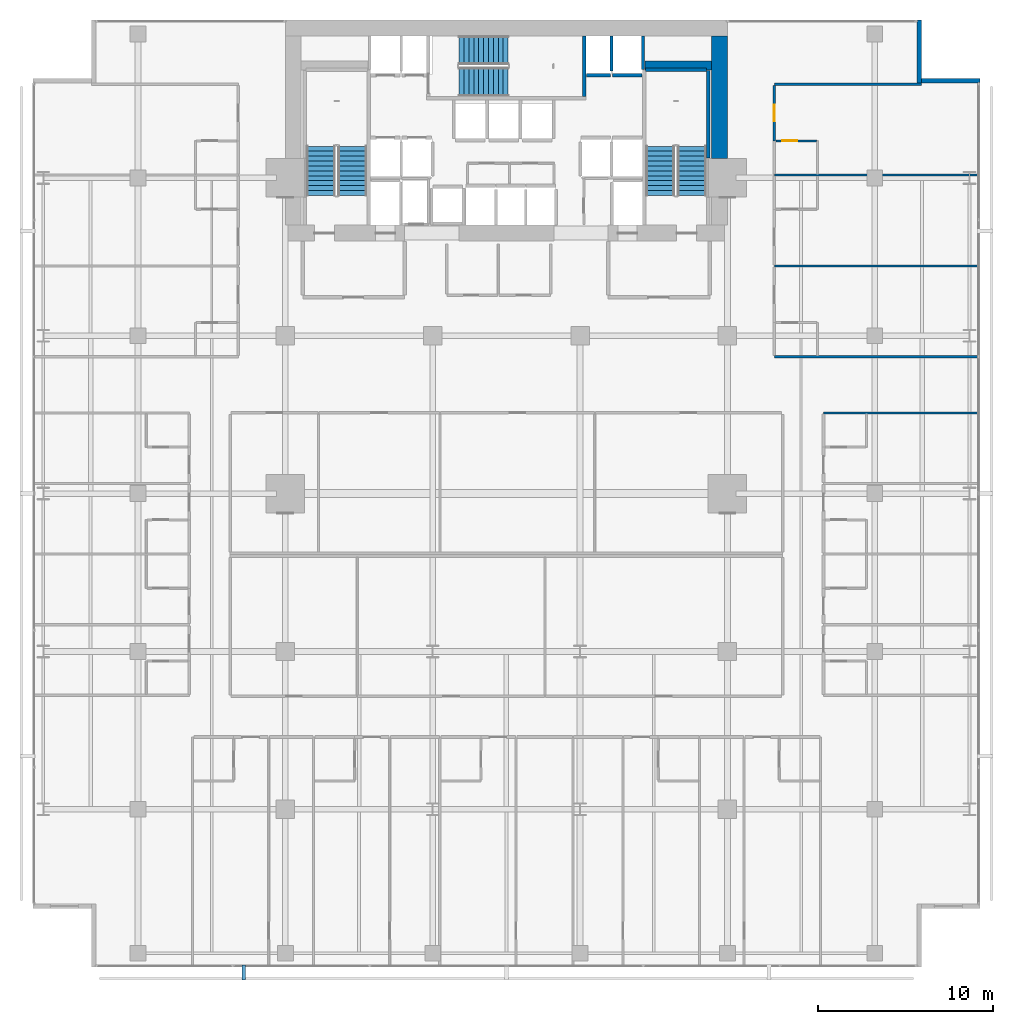
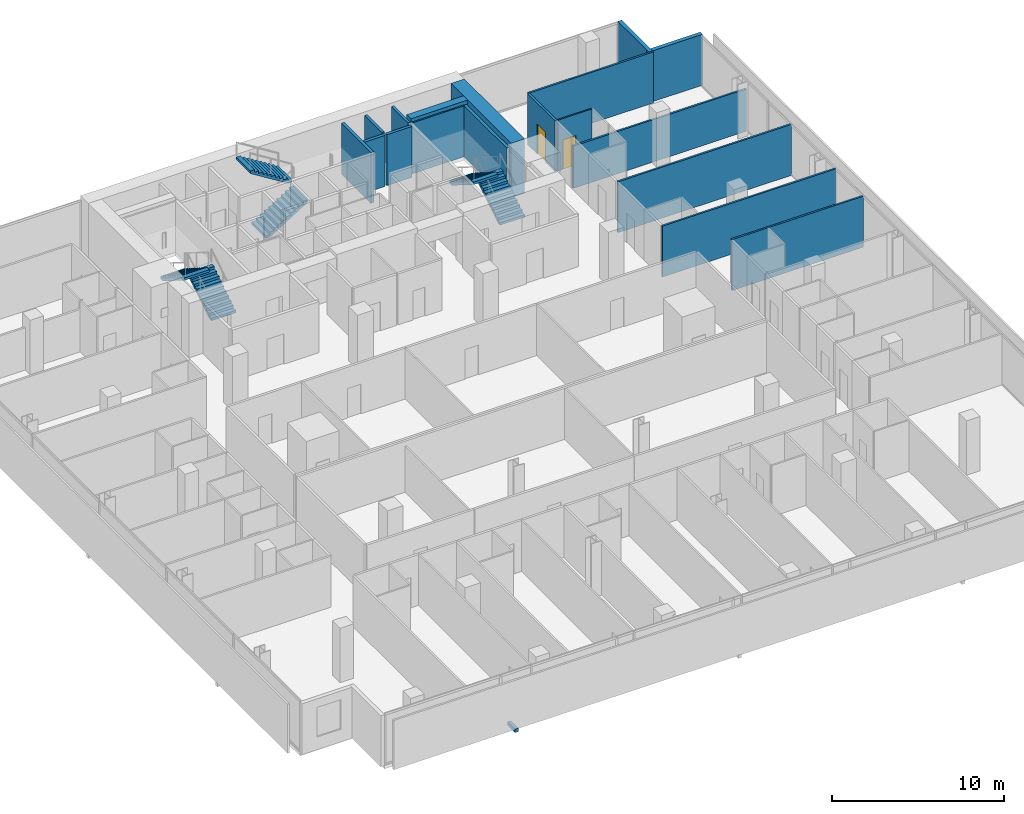
# One storey, part 38 of 41: 18 walls, 6 stair flights, 2 doors, 1 discrete accessory, 2 openings, 3 elements without a shape of their own.
"""IFC4 building model written with IfcOpenShell, lengths in metres."""

from ifc_helpers import new_model, si_unit, direction, frame, frame_2d, origin, origin_2d, place, context, subcontext, project, spatial, polyline, rectangle, outline, extrude, material, layer, layer_set, type_object, element, fill, aggregate, save


model = new_model("IFC4")

# Units and contexts
model_context = context("Model", 3, precision=1e-05, world=origin(), true_north=direction((0.0, 1.0)))
body_context = subcontext(model_context, "Body", "Model", "MODEL_VIEW")
ifc_project = project(units=[si_unit("LENGTHUNIT", "METRE"), si_unit("AREAUNIT", "SQUARE_METRE"), si_unit("VOLUMEUNIT", "CUBIC_METRE"), si_unit("PLANEANGLEUNIT", "RADIAN"), si_unit("MASSUNIT", "GRAM", prefix="KILO")], contexts=[model_context])

# Site, building, storey
site_placement = place(None, origin())
site = spatial("IfcSite", under=ifc_project, at=site_placement, CompositionType="ELEMENT")
building_placement = place(site_placement, origin())
building = spatial("IfcBuilding", under=site, at=building_placement, Name="Maruvema Waterfront Hotel and Observation Tower", CompositionType="ELEMENT")
storey_placement = place(building_placement, frame((0.0, 0.0, 84.699951171875)))
storey = spatial("IfcBuildingStorey", under=building, at=storey_placement, Name="L20", CompositionType="ELEMENT", Elevation=84.699951171875)

# Wall, opening, door
ifc_material_1 = material(Name="Twin-stud acoustic gypsum drywall", Category="gypsum")
ifc_layer_1 = layer(ifc_material_1, 0.14990234375, Name="Acoustic Corridor and Suite Demising Wall 150 mm")
ifc_layer_set_1 = layer_set([ifc_layer_1], Name="Twin-stud acoustic gypsum drywall")
wall_type_1 = type_object("IfcWallType", Name="Acoustic Corridor and Suite Demising Wall 150 mm", PredefinedType="PARTITIONING", material=ifc_layer_set_1)
wall_1_placement = place(storey_placement, frame((53.080078125, 47.1083984375, 0.0), z_axis=(0.0, 0.0, 1.0), x_axis=(0.0, 1.0, 0.0)))
wall_1 = element("IfcWall", 1, at=wall_1_placement, inside=storey, type_object=wall_type_1, Name="L20 Room L20-NE3 Corridor Wall 147", PredefinedType="PARTITIONING", context=body_context, shape_type="SweptSolid", body=[
    extrude(rectangle(XDim=3.169189453125, YDim=0.14990234375, at=frame_2d((1.58447265625, 0.0))), origin(), (0.0, 0.0, 1.0), 3.610107421875),
])
opening_1_placement = place(wall_1_placement, frame((1.109619140625, 0.0, 0.0)))
opening_1 = element("IfcOpeningElement", 2, at=opening_1_placement, cuts=wall_1, Name="Opening DR-095", PredefinedType="OPENING", context=body_context, shape_type="SweptSolid", body=[
    extrude(rectangle(XDim=0.949951171875, YDim=2.14990234375, at=frame_2d((0.47509765625, 1.074951171875))), frame((0.0, 0.0849609375, 0.0), z_axis=(0.0, -1.0, 0.0), x_axis=(1.0, 0.0, 0.0)), (0.0, 0.0, 1.0), 0.169921875),
])
ifc_material_2 = material(Name="Acoustic solid-core hardwood timber leaf", Category="wood")
door_type_1 = type_object("IfcDoorType", Name="Guestroom Entrance Fire Door 950x2150 mm", OperationType="NOTDEFINED", PredefinedType="DOOR", material=ifc_material_2)
door_1_placement = place(opening_1_placement, frame((0.949951171875, 0.0, 0.0), z_axis=(0.0, 0.0, 1.0), x_axis=(-1.0, 0.0, 0.0)))
door_1 = element("IfcDoor", 3, at=door_1_placement, inside=storey, type_object=door_type_1, Name="L20 Room L20-NE3 Entrance Door", OperationType="SINGLE_SWING_LEFT", OverallHeight=2.14990234375, OverallWidth=0.949951171875, PredefinedType="DOOR", context=body_context, shape_type="SweptSolid", body=[
    extrude(rectangle(XDim=0.949951171875, YDim=2.14990234375, at=frame_2d((0.47509765625, 1.074951171875))), frame((0.0, 0.02490234375, 0.0), z_axis=(0.0, -1.0, 0.0), x_axis=(1.0, 0.0, 0.0)), (0.0, 0.0, 1.0), 0.050048828125),
])
fill(opening_1, door_1)

# Walls
ifc_material_3 = material(Name="Precast concrete C45/55", Category="concrete")
ifc_layer_2 = layer(ifc_material_3, 0.199951171875, Name="Core Shaft and Stairwell Enclosure Wall 200 mm")
ifc_layer_set_2 = layer_set([ifc_layer_2], Name="Precast concrete C45/55")
wall_type_2 = type_object("IfcWallType", Name="Core Shaft and Stairwell Enclosure Wall 200 mm", PredefinedType="SOLIDWALL", material=ifc_layer_set_2)
wall_2_placement = place(storey_placement, frame((42.25, 49.64990234375, 0.0), z_axis=(0.0, 0.0, 1.0), x_axis=(0.0, 1.0, 0.0)))
element("IfcWall", 4, at=wall_2_placement, inside=storey, type_object=wall_type_2, Name="L20 Stairwell ST-02 Shaft Wall", PredefinedType="SOLIDWALL", context=body_context, shape_type="SweptSolid", body=[
    extrude(rectangle(XDim=3.4501953125, YDim=0.199951171875, at=frame_2d((1.72509765625, 0.0))), origin(), (0.0, 0.0, 1.0), 3.610107421875),
])
wall_3_placement = place(storey_placement, frame((49.300048828125, 46.1201171875, 0.0), z_axis=(0.0, 0.0, 1.0), x_axis=(0.0, 1.0, 0.0)))
element("IfcWall", 5, at=wall_3_placement, inside=storey, type_object=wall_type_2, Name="L20 Stairwell ST-03 Shaft Lining Wall", PredefinedType="SOLIDWALL", context=body_context, shape_type="SweptSolid", body=[
    extrude(rectangle(XDim=5.0, YDim=0.199951171875, at=frame_2d((2.5, 0.0))), origin(), (0.0, 0.0, 1.0), 3.610107421875),
])
wall_4_placement = place(storey_placement, frame((45.719970703125, 51.14990234375, 0.0), z_axis=(0.0, 0.0, 1.0), x_axis=(1.0, 0.0, 0.0)))
element("IfcWall", 6, at=wall_4_placement, inside=storey, type_object=wall_type_2, Name="L20 Stairwell ST-03 Shaft Lining Wall", PredefinedType="SOLIDWALL", context=body_context, shape_type="SweptSolid", body=[
    extrude(rectangle(XDim=3.5, YDim=0.199951171875, at=frame_2d((1.75, 0.0))), origin(), (0.0, 0.0, 1.0), 3.610107421875),
])
wall_5_placement = place(storey_placement, frame((42.360107421875, 50.85009765625, 0.0), z_axis=(0.0, 0.0, 1.0), x_axis=(1.0, 0.0, 0.0)))
element("IfcWall", 7, at=wall_5_placement, inside=storey, type_object=wall_type_2, Name="L20 Lift LF-07 Hoistway Front Wall", PredefinedType="SOLIDWALL", context=body_context, shape_type="SweptSolid", body=[
    extrude(rectangle(XDim=1.3798828125, YDim=0.199951171875, at=frame_2d((0.68994140625, 0.0))), origin(), (0.0, 0.0, 1.0), 3.610107421875),
])
wall_6_placement = place(storey_placement, frame((43.860107421875, 50.85009765625, 0.0), z_axis=(0.0, 0.0, 1.0), x_axis=(1.0, 0.0, 0.0)))
element("IfcWall", 8, at=wall_6_placement, inside=storey, type_object=wall_type_2, Name="L20 Lift LF-08 Hoistway Front Wall", PredefinedType="SOLIDWALL", context=body_context, shape_type="SweptSolid", body=[
    extrude(rectangle(XDim=1.679931640625, YDim=0.199951171875, at=frame_2d((0.83984375, 0.0))), origin(), (0.0, 0.0, 1.0), 3.610107421875),
])
ifc_material_4 = material(Name="Concrete C70/85", Category="concrete")
ifc_layer_3 = layer(ifc_material_4, 0.5, Name="Core Shear Wall 500 mm")
ifc_layer_set_3 = layer_set([ifc_layer_3], Name="Concrete C70/85")
wall_type_3 = type_object("IfcWallType", Name="Core Shear Wall 500 mm", PredefinedType="SHEAR", material=ifc_layer_set_3)
wall_7_placement = place(storey_placement, frame((45.699951171875, 51.39990234375, 0.0), z_axis=(0.0, 0.0, 1.0), x_axis=(1.0, 0.0, 0.0)))
element("IfcWall", 9, at=wall_7_placement, inside=storey, type_object=wall_type_3, Name="L20 Internal Core Shear Wall NE 500 mm", PredefinedType="SHEAR", context=body_context, shape_type="SweptSolid", body=[
    extrude(rectangle(XDim=3.800048828125, YDim=0.5, at=frame_2d((1.89990234375, 0.0))), origin(), (0.0, 0.0, 1.0), 3.85009765625),
])
ifc_material_5 = material(Name="Concrete C80/95", Category="concrete")
ifc_layer_4 = layer(ifc_material_5, 0.89990234375, Name="Core Shear Wall 900 mm")
ifc_layer_set_4 = layer_set([ifc_layer_4], Name="Concrete C80/95")
wall_type_4 = type_object("IfcWallType", Name="Core Shear Wall 900 mm", PredefinedType="SHEAR", material=ifc_layer_set_4)
wall_8_placement = place(storey_placement, frame((49.949951171875, 46.10009765625, 0.0), z_axis=(0.0, 0.0, 1.0), x_axis=(0.0, 1.0, 0.0)))
element("IfcWall", 10, at=wall_8_placement, inside=storey, type_object=wall_type_4, Name="L20 East-North Core Shear Wall", PredefinedType="SHEAR", context=body_context, shape_type="SweptSolid", body=[
    extrude(rectangle(XDim=7.0, YDim=0.89990234375, at=frame_2d((3.5, 0.0))), origin(), (0.0, 0.0, 1.0), 3.85009765625),
])

# Wall, opening, door
ifc_material_6 = material(Name="Moisture-resistant cement-board drywall", Category="gypsum")
ifc_layer_5 = layer(ifc_material_6, 0.10009765625, Name="En-Suite Moisture-Resistant Partition 100 mm")
ifc_layer_set_5 = layer_set([ifc_layer_5], Name="Moisture-resistant cement-board drywall")
wall_type_5 = type_object("IfcWallType", Name="En-Suite Moisture-Resistant Partition 100 mm", PredefinedType="PARTITIONING", material=ifc_layer_set_5)
wall_9_placement = place(storey_placement, frame((53.179931640625, 47.1083984375, 0.0), z_axis=(0.0, 0.0, 1.0), x_axis=(1.0, 0.0, 0.0)))
wall_9 = element("IfcWall", 11, at=wall_9_placement, inside=storey, type_object=wall_type_5, Name="L20 En-Suite L20-NE3 N 149", PredefinedType="PARTITIONING", context=body_context, shape_type="SweptSolid", body=[
    extrude(rectangle(XDim=2.300048828125, YDim=0.10009765625, at=frame_2d((1.14990234375, 0.0))), origin(), (0.0, 0.0, 1.0), 3.610107421875),
])
opening_2_placement = place(wall_9_placement, frame((0.35009765625, 0.0, 0.0)))
opening_2 = element("IfcOpeningElement", 12, at=opening_2_placement, cuts=wall_9, Name="Opening DR-085", PredefinedType="OPENING", context=body_context, shape_type="SweptSolid", body=[
    extrude(rectangle(XDim=0.85009765625, YDim=2.10009765625, at=frame_2d((0.425048828125, 1.050048828125))), frame((0.0, 0.06005859375, 0.0), z_axis=(0.0, -1.0, 0.0), x_axis=(1.0, 0.0, 0.0)), (0.0, 0.0, 1.0), 0.1201171875),
])
ifc_material_7 = material(Name="Moisture-resistant solid timber leaf", Category="wood")
door_type_2 = type_object("IfcDoorType", Name="En-Suite Bathroom Door 850x2100 mm", OperationType="NOTDEFINED", PredefinedType="DOOR", material=ifc_material_7)
door_2_placement = place(opening_2_placement, origin())
door_2 = element("IfcDoor", 13, at=door_2_placement, inside=storey, type_object=door_type_2, Name="L20 En-Suite L20-NE3 Door", OperationType="SINGLE_SWING_RIGHT", OverallHeight=2.10009765625, OverallWidth=0.85009765625, PredefinedType="DOOR", context=body_context, shape_type="SweptSolid", body=[
    extrude(rectangle(XDim=0.85009765625, YDim=2.10009765625, at=frame_2d((0.425048828125, 1.050048828125))), frame((0.0, 0.02490234375, 0.0), z_axis=(0.0, -1.0, 0.0), x_axis=(1.0, 0.0, 0.0)), (0.0, 0.0, 1.0), 0.050048828125),
])
fill(opening_2, door_2)

# Walls
ifc_material_8 = material(Name="Precast concrete C45/55 with honed Pernambuco granite facing", Category="masonry")
ifc_layer_6 = layer(ifc_material_8, 0.260009765625, Name="Exterior Granite Clad Spandrel and Pier Wall 260 mm")
ifc_layer_set_6 = layer_set([ifc_layer_6], Name="Precast concrete C45/55 with honed Pernambuco granite facing")
wall_type_6 = type_object("IfcWallType", Name="Exterior Granite Clad Spandrel and Pier Wall 260 mm", PredefinedType="SOLIDWALL", material=ifc_layer_set_6)
for number, where, z_axis, x_axis, name in (
    (14, (61.330078125, 54.0, 0.0), (0.0, 0.0, 1.0), (0.0, -1.0, 0.0), "L20 Corner Notch Granite Pier Wall NE1"),
    (15, (61.199951171875, 50.530029296875, 0.0), (0.0, 0.0, 1.0), (1.0, 0.0, 0.0), "L20 Corner Notch Granite Pier Wall NE2"),
):
    element("IfcWall", number, at=place(storey_placement, frame(where, z_axis=z_axis, x_axis=x_axis)), inside=storey, type_object=wall_type_6, Name=name, PredefinedType="SOLIDWALL", context=body_context, shape_type="SweptSolid", body=[
        extrude(rectangle(XDim=3.60009765625, YDim=0.260009765625, at=frame_2d((1.800048828125, 0.0))), origin(), (0.0, 0.0, 1.0), 3.610107421875),
    ])
ifc_material_9 = material(Name="Acoustic gypsum plasterboard drywall", Category="gypsum")
ifc_layer_7 = layer(ifc_material_9, 0.125, Name="Guestroom Acoustic Demising Wall 125 mm")
ifc_layer_set_7 = layer_set([ifc_layer_7], Name="Acoustic gypsum plasterboard drywall")
wall_type_7 = type_object("IfcWallType", Name="Guestroom Acoustic Demising Wall 125 mm", PredefinedType="PARTITIONING", material=ifc_layer_set_7)
wall_10_placement = place(storey_placement, frame((55.8798828125, 31.60009765625, 0.0), z_axis=(0.0, 0.0, 1.0), x_axis=(1.0, 0.0, 0.0)))
element("IfcWall", 16, at=wall_10_placement, inside=storey, type_object=wall_type_7, Name="L20 E Top End 079", PredefinedType="PARTITIONING", context=body_context, shape_type="SweptSolid", body=[
    extrude(rectangle(XDim=8.820068359375, YDim=0.125, at=frame_2d((4.41015625, 0.0))), origin(), (0.0, 0.0, 1.0), 3.610107421875),
])
wall_11_placement = place(storey_placement, frame((53.080078125, 34.800048828125, 0.0), z_axis=(0.0, 0.0, 1.0), x_axis=(1.0, 0.0, 0.0)))
element("IfcWall", 17, at=wall_11_placement, inside=storey, type_object=wall_type_7, Name="L20 NE Bot End 119", PredefinedType="PARTITIONING", context=body_context, shape_type="SweptSolid", body=[
    extrude(rectangle(XDim=11.619873046875, YDim=0.125, at=frame_2d((5.81005859375, 0.0))), origin(), (0.0, 0.0, 1.0), 3.610107421875),
])
wall_12_placement = place(storey_placement, frame((53.080078125, 50.33740234375, 0.0), z_axis=(0.0, 0.0, 1.0), x_axis=(1.0, 0.0, 0.0)))
element("IfcWall", 18, at=wall_12_placement, inside=storey, type_object=wall_type_7, Name="L20 NE Top End 121", PredefinedType="PARTITIONING", context=body_context, shape_type="SweptSolid", body=[
    extrude(rectangle(XDim=8.3798828125, YDim=0.125, at=frame_2d((4.18994140625, 0.0))), origin(), (0.0, 0.0, 1.0), 3.610107421875),
])
wall_13_placement = place(storey_placement, frame((53.080078125, 39.979248046875, 0.0), z_axis=(0.0, 0.0, 1.0), x_axis=(1.0, 0.0, 0.0)))
element("IfcWall", 19, at=wall_13_placement, inside=storey, type_object=wall_type_7, Name="L20 NE Demising 2 131", PredefinedType="PARTITIONING", context=body_context, shape_type="SweptSolid", body=[
    extrude(rectangle(XDim=11.619873046875, YDim=0.125, at=frame_2d((5.81005859375, 0.0))), origin(), (0.0, 0.0, 1.0), 3.610107421875),
])
wall_14_placement = place(storey_placement, frame((53.080078125, 45.158203125, 0.0), z_axis=(0.0, 0.0, 1.0), x_axis=(1.0, 0.0, 0.0)))
element("IfcWall", 20, at=wall_14_placement, inside=storey, type_object=wall_type_7, Name="L20 NE Demising 3 141", PredefinedType="PARTITIONING", context=body_context, shape_type="SweptSolid", body=[
    extrude(rectangle(XDim=11.619873046875, YDim=0.125, at=frame_2d((5.81005859375, 0.0))), origin(), (0.0, 0.0, 1.0), 2.9990234375),
])
ifc_material_10 = material(Name="Precast concrete C45/55", Category="concrete")
ifc_layer_8 = layer(ifc_material_10, 0.159912109375, Name="Lift Hoistway Divider Wall 160 mm")
ifc_layer_set_8 = layer_set([ifc_layer_8], Name="Precast concrete C45/55")
wall_type_8 = type_object("IfcWallType", Name="Lift Hoistway Divider Wall 160 mm", PredefinedType="SOLIDWALL", material=ifc_layer_set_8)
wall_15_placement = place(storey_placement, frame((45.590087890625, 51.179931640625, 0.0), z_axis=(0.0, 0.0, 1.0), x_axis=(0.0, 1.0, 0.0)))
element("IfcWall", 21, at=wall_15_placement, inside=storey, type_object=wall_type_8, Name="L20 Hoistway Divider Wall", PredefinedType="SOLIDWALL", context=body_context, shape_type="SweptSolid", body=[
    extrude(rectangle(XDim=1.920166015625, YDim=0.159912109375, at=frame_2d((0.9599609375, 0.0))), origin(), (0.0, 0.0, 1.0), 3.610107421875),
])
wall_16_placement = place(storey_placement, frame((43.800048828125, 51.10009765625, 0.0), z_axis=(0.0, 0.0, 1.0), x_axis=(0.0, 1.0, 0.0)))
element("IfcWall", 22, at=wall_16_placement, inside=storey, type_object=wall_type_8, Name="L20 Hoistway Divider Wall", PredefinedType="SOLIDWALL", context=body_context, shape_type="SweptSolid", body=[
    extrude(rectangle(XDim=2.0, YDim=0.159912109375, at=frame_2d((1.0, 0.0))), origin(), (0.0, 0.0, 1.0), 3.610107421875),
])

# Stair, stair flights
ifc_material_11 = material(Name="Concrete C50/60", Category="concrete")
stair_type = type_object("IfcStairType", Name="Dogleg Exit Stair 1650 mm (22R x 175.0 mm)", PredefinedType="HALF_TURN_STAIR", material=ifc_material_11)
stair_1_placement = place(storey_placement, origin())
stair_1 = element("IfcStair", 23, at=stair_1_placement, inside=storey, type_object=stair_type, Name="L20 ST-01", PredefinedType="HALF_TURN_STAIR")
ifc_material_12 = material(Name="Concrete C50/60", Category="concrete")
stair_flight_type = type_object("IfcStairFlightType", Name="Reinforced Concrete Stair Flight 1650 mm (11R x 175.0 mm)", PredefinedType="STRAIGHT", material=ifc_material_12)
stair_flight_1_placement = place(storey_placement, frame((29.02490234375, 44.0, 0.0), z_axis=(0.0, 0.0, 1.0), x_axis=(0.0, 1.0, 0.0)))
stair_flight_1 = element("IfcStairFlight", 24, at=stair_flight_1_placement, type_object=stair_flight_type, Name="ST-01 flight 1", NumberOfRisers=11, NumberOfTreads=10, PredefinedType="STRAIGHT", RiserHeight=0.175, TreadLength=0.28, context=body_context, shape_type="SweptSolid", body=[
    extrude(outline(polyline([(0.0, 0.0), (0.0, 0.175048828125), (0.280029296875, 0.175048828125), (0.280029296875, 0.35009765625), (0.56005859375, 0.35009765625), (0.56005859375, 0.52490234375), (0.840087890625, 0.52490234375), (0.840087890625, 0.699951171875), (1.1201171875, 0.699951171875), (1.1201171875, 0.875), (1.39990234375, 0.875), (1.39990234375, 1.050048828125), (1.679931640625, 1.050048828125), (1.679931640625, 1.22509765625), (1.9599609375, 1.22509765625), (1.9599609375, 1.39990234375), (2.239990234375, 1.39990234375), (2.239990234375, 1.574951171875), (2.52001953125, 1.574951171875), (2.52001953125, 1.75), (2.800048828125, 1.75), (2.800048828125, 1.925048828125), (2.800048828125, 1.5732421875), (0.28271484375, 0.0), (0.0, 0.0)])), frame((0.0, 0.824951171875, 0.0), z_axis=(0.0, -1.0, 0.0), x_axis=(1.0, 0.0, 0.0)), (0.0, 0.0, 1.0), 1.64990234375),
])
stair_flight_2_placement = place(storey_placement, frame((27.22509765625, 46.800048828125, 1.925048828125), z_axis=(0.0, 0.0, 1.0), x_axis=(0.0, -1.0, 0.0)))
stair_flight_2 = element("IfcStairFlight", 25, at=stair_flight_2_placement, type_object=stair_flight_type, Name="ST-01 flight 2", NumberOfRisers=11, NumberOfTreads=10, PredefinedType="STRAIGHT", RiserHeight=0.175, TreadLength=0.28, context=body_context, shape_type="SweptSolid", body=[
    extrude(outline(polyline([(0.0, 0.0), (0.0, 0.175048828125), (0.280029296875, 0.175048828125), (0.280029296875, 0.35009765625), (0.56005859375, 0.35009765625), (0.56005859375, 0.52490234375), (0.840087890625, 0.52490234375), (0.840087890625, 0.699951171875), (1.1201171875, 0.699951171875), (1.1201171875, 0.875), (1.39990234375, 0.875), (1.39990234375, 1.050048828125), (1.679931640625, 1.050048828125), (1.679931640625, 1.22509765625), (1.9599609375, 1.22509765625), (1.9599609375, 1.39990234375), (2.239990234375, 1.39990234375), (2.239990234375, 1.574951171875), (2.52001953125, 1.574951171875), (2.52001953125, 1.75), (2.800048828125, 1.75), (2.800048828125, 1.925048828125), (2.800048828125, 1.5732421875), (0.28271484375, 0.0), (0.0, 0.0)])), frame((0.0, 0.824951171875, 0.0), z_axis=(0.0, -1.0, 0.0), x_axis=(1.0, 0.0, 0.0)), (0.0, 0.0, 1.0), 1.64990234375),
])
aggregate(stair_1, [stair_flight_1, stair_flight_2])

stair_2_placement = place(storey_placement, origin())
stair_2 = element("IfcStair", 26, at=stair_2_placement, inside=storey, type_object=stair_type, Name="L20 ST-02", PredefinedType="HALF_TURN_STAIR")
stair_flight_3_placement = place(storey_placement, frame((35.10009765625, 50.47509765625, 0.0), z_axis=(0.0, 0.0, 1.0), x_axis=(1.0, 0.0, 0.0)))
stair_flight_3 = element("IfcStairFlight", 27, at=stair_flight_3_placement, type_object=stair_flight_type, Name="ST-02 flight 1", NumberOfRisers=11, NumberOfTreads=10, PredefinedType="STRAIGHT", RiserHeight=0.175, TreadLength=0.28, context=body_context, shape_type="SweptSolid", body=[
    extrude(outline(polyline([(0.0, 0.0), (0.0, 0.175048828125), (0.280029296875, 0.175048828125), (0.280029296875, 0.35009765625), (0.56005859375, 0.35009765625), (0.56005859375, 0.52490234375), (0.840087890625, 0.52490234375), (0.840087890625, 0.699951171875), (1.1201171875, 0.699951171875), (1.1201171875, 0.875), (1.39990234375, 0.875), (1.39990234375, 1.050048828125), (1.679931640625, 1.050048828125), (1.679931640625, 1.22509765625), (1.9599609375, 1.22509765625), (1.9599609375, 1.39990234375), (2.239990234375, 1.39990234375), (2.239990234375, 1.574951171875), (2.52001953125, 1.574951171875), (2.52001953125, 1.75), (2.800048828125, 1.75), (2.800048828125, 1.925048828125), (2.800048828125, 1.5732421875), (0.28271484375, 0.0), (0.0, 0.0)])), frame((0.0, 0.824951171875, 0.0), z_axis=(0.0, -1.0, 0.0), x_axis=(1.0, 0.0, 0.0)), (0.0, 0.0, 1.0), 1.64990234375),
])
stair_flight_4_placement = place(storey_placement, frame((37.89990234375, 52.27490234375, 1.925048828125), z_axis=(0.0, 0.0, 1.0), x_axis=(-1.0, 0.0, 0.0)))
stair_flight_4 = element("IfcStairFlight", 28, at=stair_flight_4_placement, type_object=stair_flight_type, Name="ST-02 flight 2", NumberOfRisers=11, NumberOfTreads=10, PredefinedType="STRAIGHT", RiserHeight=0.175, TreadLength=0.28, context=body_context, shape_type="SweptSolid", body=[
    extrude(outline(polyline([(0.0, 0.0), (0.0, 0.175048828125), (0.280029296875, 0.175048828125), (0.280029296875, 0.35009765625), (0.56005859375, 0.35009765625), (0.56005859375, 0.52490234375), (0.840087890625, 0.52490234375), (0.840087890625, 0.699951171875), (1.1201171875, 0.699951171875), (1.1201171875, 0.875), (1.39990234375, 0.875), (1.39990234375, 1.050048828125), (1.679931640625, 1.050048828125), (1.679931640625, 1.22509765625), (1.9599609375, 1.22509765625), (1.9599609375, 1.39990234375), (2.239990234375, 1.39990234375), (2.239990234375, 1.574951171875), (2.52001953125, 1.574951171875), (2.52001953125, 1.75), (2.800048828125, 1.75), (2.800048828125, 1.925048828125), (2.800048828125, 1.5732421875), (0.28271484375, 0.0), (0.0, 0.0)])), frame((0.0, 0.824951171875, 0.0), z_axis=(0.0, -1.0, 0.0), x_axis=(1.0, 0.0, 0.0)), (0.0, 0.0, 1.0), 1.64990234375),
])
aggregate(stair_2, [stair_flight_3, stair_flight_4])

stair_3_placement = place(storey_placement, origin())
stair_3 = element("IfcStair", 29, at=stair_3_placement, inside=storey, type_object=stair_type, Name="L20 ST-03", PredefinedType="HALF_TURN_STAIR")
stair_flight_5_placement = place(storey_placement, frame((48.375, 44.0, 0.0), z_axis=(0.0, 0.0, 1.0), x_axis=(0.0, 1.0, 0.0)))
stair_flight_5 = element("IfcStairFlight", 30, at=stair_flight_5_placement, type_object=stair_flight_type, Name="ST-03 flight 1", NumberOfRisers=11, NumberOfTreads=10, PredefinedType="STRAIGHT", RiserHeight=0.175, TreadLength=0.28, context=body_context, shape_type="SweptSolid", body=[
    extrude(outline(polyline([(0.0, 0.0), (0.0, 0.175048828125), (0.280029296875, 0.175048828125), (0.280029296875, 0.35009765625), (0.56005859375, 0.35009765625), (0.56005859375, 0.52490234375), (0.840087890625, 0.52490234375), (0.840087890625, 0.699951171875), (1.1201171875, 0.699951171875), (1.1201171875, 0.875), (1.39990234375, 0.875), (1.39990234375, 1.050048828125), (1.679931640625, 1.050048828125), (1.679931640625, 1.22509765625), (1.9599609375, 1.22509765625), (1.9599609375, 1.39990234375), (2.239990234375, 1.39990234375), (2.239990234375, 1.574951171875), (2.52001953125, 1.574951171875), (2.52001953125, 1.75), (2.800048828125, 1.75), (2.800048828125, 1.925048828125), (2.800048828125, 1.5732421875), (0.28271484375, 0.0), (0.0, 0.0)])), frame((0.0, 0.824951171875, 0.0), z_axis=(0.0, -1.0, 0.0), x_axis=(1.0, 0.0, 0.0)), (0.0, 0.0, 1.0), 1.64990234375),
])
stair_flight_6_placement = place(storey_placement, frame((46.574951171875, 46.800048828125, 1.925048828125), z_axis=(0.0, 0.0, 1.0), x_axis=(0.0, -1.0, 0.0)))
stair_flight_6 = element("IfcStairFlight", 31, at=stair_flight_6_placement, type_object=stair_flight_type, Name="ST-03 flight 2", NumberOfRisers=11, NumberOfTreads=10, PredefinedType="STRAIGHT", RiserHeight=0.175, TreadLength=0.28, context=body_context, shape_type="SweptSolid", body=[
    extrude(outline(polyline([(0.0, 0.0), (0.0, 0.175048828125), (0.280029296875, 0.175048828125), (0.280029296875, 0.35009765625), (0.56005859375, 0.35009765625), (0.56005859375, 0.52490234375), (0.840087890625, 0.52490234375), (0.840087890625, 0.699951171875), (1.1201171875, 0.699951171875), (1.1201171875, 0.875), (1.39990234375, 0.875), (1.39990234375, 1.050048828125), (1.679931640625, 1.050048828125), (1.679931640625, 1.22509765625), (1.9599609375, 1.22509765625), (1.9599609375, 1.39990234375), (2.239990234375, 1.39990234375), (2.239990234375, 1.574951171875), (2.52001953125, 1.574951171875), (2.52001953125, 1.75), (2.800048828125, 1.75), (2.800048828125, 1.925048828125), (2.800048828125, 1.5732421875), (0.28271484375, 0.0), (0.0, 0.0)])), frame((0.0, 0.824951171875, 0.0), z_axis=(0.0, -1.0, 0.0), x_axis=(1.0, 0.0, 0.0)), (0.0, 0.0, 1.0), 1.64990234375),
])
aggregate(stair_3, [stair_flight_5, stair_flight_6])

# Discrete accessory
ifc_material_13 = material(Name="Duplex stainless steel Grade 2205", Category="steel")
discrete_accessory_type = type_object("IfcDiscreteAccessoryType", Name="Double-Skin Cavity Stainless Outrigger Bracket", PredefinedType="BRACKET", material=ifc_material_13)
discrete_accessory_placement = place(storey_placement, frame((22.823974609375, -0.300048828125, -0.14013671875), z_axis=(0.0, 0.0, 1.0), x_axis=(1.0, 0.0, 0.0)))
element("IfcDiscreteAccessory", 32, at=discrete_accessory_placement, inside=storey, type_object=discrete_accessory_type, Name="L20 Outer Skin Support Bracket 1", PredefinedType="BRACKET", context=body_context, shape_type="SweptSolid", body=[
    extrude(rectangle(XDim=0.219970703125, YDim=0.860107421875, at=origin_2d()), origin(), (0.0, 0.0, 1.0), 0.239990234375),
])

save(model, "model.ifc")
